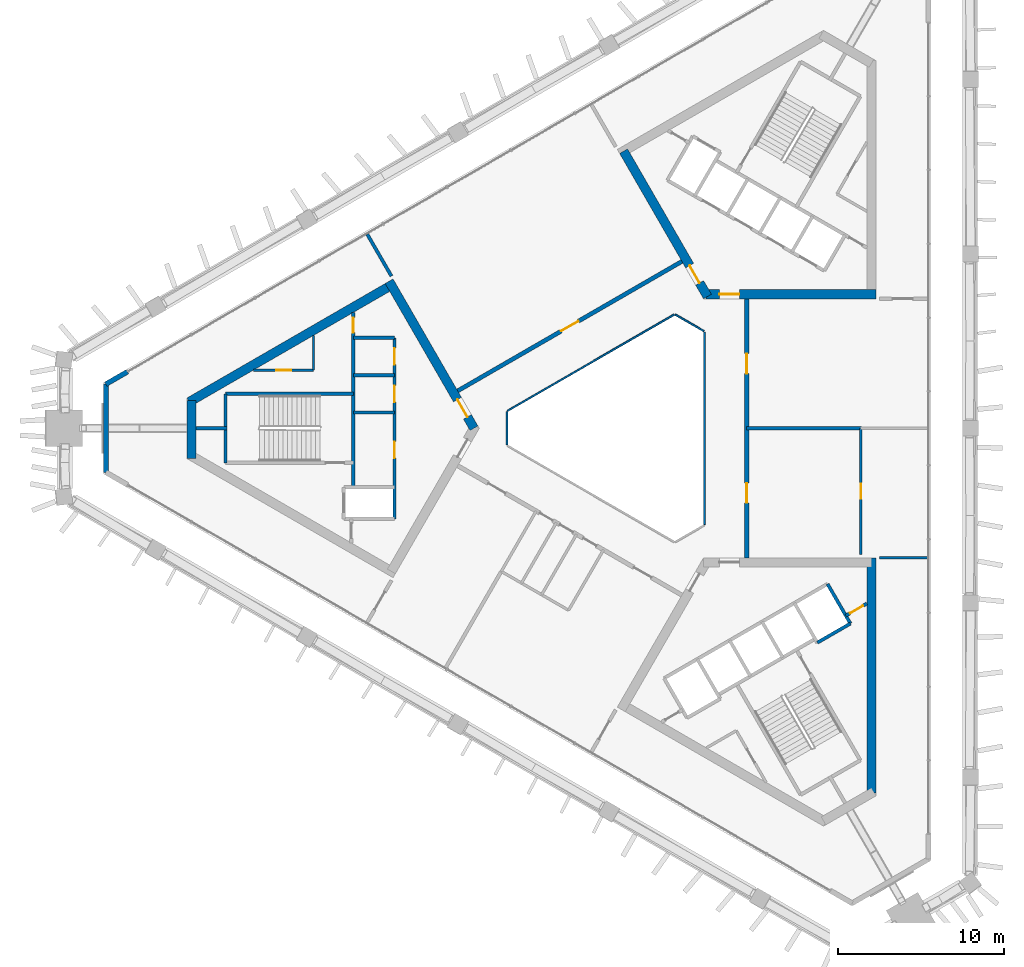
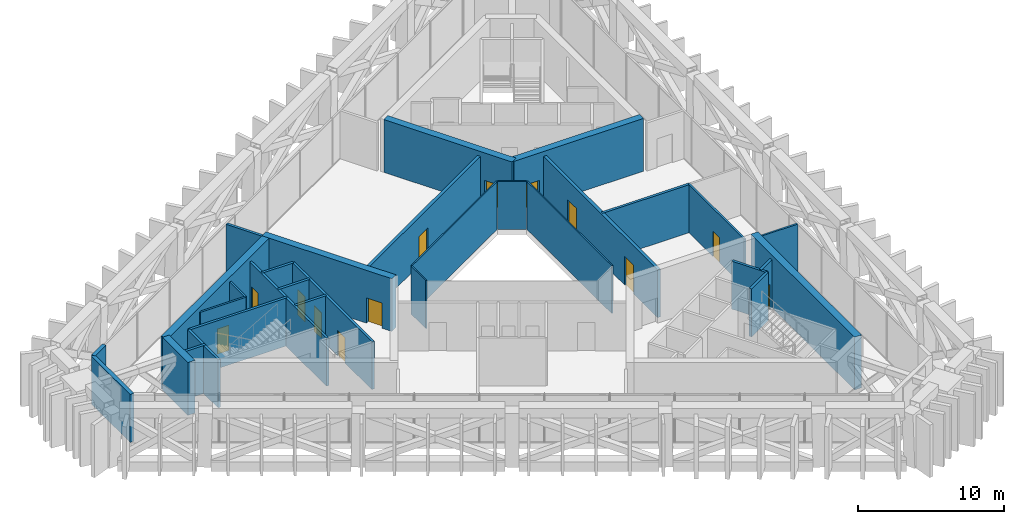
# One storey, part 11 of 15: 31 walls, 13 doors, 13 openings.
"""IFC4 building model written with IfcOpenShell, lengths in metres."""

from ifc_helpers import new_model, si_unit, direction, frame, frame_2d, origin, place, context, subcontext, project, spatial, rectangle, extrude, material, layer, layer_set, type_object, element, fill, save


model = new_model("IFC4")

# Units and contexts
model_context = context("Model", 3, precision=1e-05, world=origin(), true_north=direction((0.0, 1.0)))
body_context = subcontext(model_context, "Body", "Model", "MODEL_VIEW")
ifc_project = project(units=[si_unit("LENGTHUNIT", "METRE"), si_unit("AREAUNIT", "SQUARE_METRE"), si_unit("VOLUMEUNIT", "CUBIC_METRE"), si_unit("PLANEANGLEUNIT", "RADIAN"), si_unit("MASSUNIT", "GRAM", prefix="KILO")], contexts=[model_context])

# Site, building, storey
site_placement = place(None, origin())
site = spatial("IfcSite", under=ifc_project, at=site_placement, CompositionType="ELEMENT")
building_placement = place(site_placement, origin())
building = spatial("IfcBuilding", under=site, at=building_placement, Name="Jabali Bay Hotel Tower and Convention Centre", CompositionType="ELEMENT")
storey_placement = place(building_placement, frame((0.0, 0.0, 201.39990234375)))
storey = spatial("IfcBuildingStorey", under=building, at=storey_placement, Name="L49", CompositionType="ELEMENT", Elevation=201.39990234375)

# Walls
ifc_material_1 = material(Name="Fire-resistant glazing", Category="glass")
ifc_layer_1 = layer(ifc_material_1, 0.10009765625)
ifc_layer_set_1 = layer_set([ifc_layer_1], Name="Fire-resistant glazing")
wall_type_1 = type_object("IfcWallType", Name="Atrium glazed screen 100", PredefinedType="PARTITIONING", material=ifc_layer_set_1)
wall_1_placement = place(storey_placement, frame((79.56005859375, 74.205810546875, 0.0), z_axis=(0.0, 0.0, 1.0), x_axis=(0.0, 1.0, 0.0)))
element("IfcWall", 1, at=wall_1_placement, inside=storey, type_object=wall_type_1, Name="Atrium screen 1 L49", PredefinedType="PARTITIONING", context=body_context, shape_type="SweptSolid", body=[
    extrude(rectangle(XDim=11.58837890625, YDim=0.10009765625, at=frame_2d((5.794189453125, 0.0))), origin(), (0.0, 0.0, 1.0), 4.0),
])
wall_2_placement = place(storey_placement, frame((79.530029296875, 85.84619140625, 0.0), z_axis=(0.0, 0.0, 1.0), x_axis=(-0.866041268327, 0.499972520799, 0.0)))
element("IfcWall", 2, at=wall_2_placement, inside=storey, type_object=wall_type_1, Name="Atrium screen 2 L49", PredefinedType="PARTITIONING", context=body_context, shape_type="SweptSolid", body=[
    extrude(rectangle(XDim=2.0, YDim=0.10009765625, at=frame_2d((1.0, 0.0))), origin(), (0.0, 0.0, 1.0), 4.0),
])
wall_3_placement = place(storey_placement, frame((77.738037109375, 86.84619140625, 0.0), z_axis=(0.0, 0.0, 1.0), x_axis=(-0.866026658274, -0.499997827154, 0.0)))
element("IfcWall", 3, at=wall_3_placement, inside=storey, type_object=wall_type_1, Name="Atrium screen 3 L49", PredefinedType="PARTITIONING", context=body_context, shape_type="SweptSolid", body=[
    extrude(rectangle(XDim=11.58837890625, YDim=0.10009765625, at=frame_2d((5.794189453125, 0.0))), origin(), (0.0, 0.0, 1.0), 4.0),
])
wall_4_placement = place(storey_placement, frame((67.672119140625, 81.0, 0.0), z_axis=(0.0, 0.0, 1.0), x_axis=(0.0, -1.0, 0.0)))
element("IfcWall", 4, at=wall_4_placement, inside=storey, type_object=wall_type_1, Name="Atrium screen 4 L49", PredefinedType="PARTITIONING", context=body_context, shape_type="SweptSolid", body=[
    extrude(rectangle(XDim=2.0, YDim=0.10009765625, at=frame_2d((1.0, 0.0))), origin(), (0.0, 0.0, 1.0), 4.0),
])
ifc_material_2 = material(Name="Concrete C40", Category="concrete")
ifc_layer_2 = layer(ifc_material_2, 0.199951171875)
ifc_layer_set_2 = layer_set([ifc_layer_2], Name="Concrete C40")
wall_type_2 = type_object("IfcWallType", Name="Core partition wall 200", PredefinedType="PARTITIONING", material=ifc_layer_set_2)
wall_5_placement = place(storey_placement, frame((50.820068359375, 80.0, 0.0), z_axis=(0.0, 0.0, 1.0), x_axis=(-1.0, 0.0, 0.0)))
element("IfcWall", 5, at=wall_5_placement, inside=storey, type_object=wall_type_2, Name="Core wall 0.5 L49", PredefinedType="PARTITIONING", context=body_context, shape_type="SweptSolid", body=[
    extrude(rectangle(XDim=1.873046875, YDim=0.199951171875, at=frame_2d((0.9365234375, 0.0))), origin(), (0.0, 0.0, 1.0), 4.0),
])

# Wall, opening, door
wall_6_placement = place(storey_placement, frame((88.064697265625, 68.72119140625, 0.0), z_axis=(0.0, 0.0, 1.0), x_axis=(0.865982457891, 0.500074377092, 0.0)))
wall_6 = element("IfcWall", 6, at=wall_6_placement, inside=storey, type_object=wall_type_2, Name="Core wall 2.12 L49", PredefinedType="PARTITIONING", context=body_context, shape_type="SweptSolid", body=[
    extrude(rectangle(XDim=1.461181640625, YDim=0.199951171875, at=frame_2d((0.73046875, 0.0))), origin(), (0.0, 0.0, 1.0), 4.0),
])
opening_1_placement = place(wall_6_placement, frame((0.280517578125, 0.0, 0.0)))
opening_1 = element("IfcOpeningElement", 7, at=opening_1_placement, cuts=wall_6, Name="Opening D1069", PredefinedType="OPENING", context=body_context, shape_type="SweptSolid", body=[
    extrude(rectangle(XDim=0.89990234375, YDim=2.10009765625, at=frame_2d((0.449951171875, 1.050048828125))), frame((0.0, 0.1103515625, 0.0), z_axis=(0.0, -1.0, 0.0), x_axis=(1.0, 0.0, 0.0)), (0.0, 0.0, 1.0), 0.220947265625),
])
ifc_material_3 = material(Name="Fire-rated steel door", Category="steel")
door_type_1 = type_object("IfcDoorType", Name="Vestibule fire door 900 x 2100", OperationType="NOTDEFINED", PredefinedType="NOTDEFINED", material=ifc_material_3)
door_1_placement = place(opening_1_placement, origin())
door_1 = element("IfcDoor", 8, at=door_1_placement, inside=storey, type_object=door_type_1, Name="Vestibule fire door D1069", OperationType="SINGLE_SWING_LEFT", OverallHeight=2.10009765625, OverallWidth=0.89990234375, PredefinedType="NOTDEFINED", context=body_context, shape_type="SweptSolid", body=[
    extrude(rectangle(XDim=0.89990234375, YDim=2.10009765625, at=frame_2d((0.449951171875, 1.050048828125))), frame((0.0, 0.02490234375, 0.0), z_axis=(0.0, -1.0, 0.0), x_axis=(1.0, 0.0, 0.0)), (0.0, 0.0, 1.0), 0.050048828125),
])
fill(opening_1, door_1)

ifc_material_4 = material(Name="Fire-rated board partition")
ifc_layer_3 = layer(ifc_material_4, 0.14990234375)
ifc_layer_set_3 = layer_set([ifc_layer_3], Name="Fire-rated board partition")
wall_type_3 = type_object("IfcWallType", Name="Core room partition 150", PredefinedType="PARTITIONING", material=ifc_layer_set_3)
wall_7_placement = place(storey_placement, frame((56.02001953125, 83.5, 0.0), z_axis=(0.0, 0.0, 1.0), x_axis=(-1.0, 0.0, 0.0)))
wall_7 = element("IfcWall", 9, at=wall_7_placement, inside=storey, type_object=wall_type_3, Name="Core wall 0.1 L49", PredefinedType="PARTITIONING", context=body_context, shape_type="SweptSolid", body=[
    extrude(rectangle(XDim=3.617919921875, YDim=0.14990234375, at=frame_2d((1.80908203125, 0.0))), origin(), (0.0, 0.0, 1.0), 4.0),
])
opening_2_placement = place(wall_7_placement, frame((1.33154296875, 0.0, 0.0)))
opening_2 = element("IfcOpeningElement", 10, at=opening_2_placement, cuts=wall_7, Name="Opening D1060", PredefinedType="OPENING", context=body_context, shape_type="SweptSolid", body=[
    extrude(rectangle(XDim=0.89990234375, YDim=2.10009765625, at=frame_2d((0.449951171875, 1.050048828125))), frame((0.0, 0.08544921875, 0.0), z_axis=(0.0, -1.0, 0.0), x_axis=(1.0, 0.0, 0.0)), (0.0, 0.0, 1.0), 0.1708984375),
])
door_type_2 = type_object("IfcDoorType", Name="Core room door 900 x 2100", OperationType="NOTDEFINED", PredefinedType="NOTDEFINED", material=ifc_material_3)
door_2_placement = place(opening_2_placement, origin())
door_2 = element("IfcDoor", 11, at=door_2_placement, inside=storey, type_object=door_type_2, Name="Core room door D1060", OperationType="SINGLE_SWING_LEFT", OverallHeight=2.10009765625, OverallWidth=0.89990234375, PredefinedType="NOTDEFINED", context=body_context, shape_type="SweptSolid", body=[
    extrude(rectangle(XDim=0.89990234375, YDim=2.10009765625, at=frame_2d((0.449951171875, 1.050048828125))), frame((0.0, 0.02490234375, 0.0), z_axis=(0.0, -1.0, 0.0), x_axis=(1.0, 0.0, 0.0)), (0.0, 0.0, 1.0), 0.050048828125),
])
fill(opening_2, door_2)

# Walls
wall_8_placement = place(storey_placement, frame((56.02001953125, 85.5888671875, 0.0), z_axis=(0.0, 0.0, 1.0), x_axis=(0.0, -1.0, 0.0)))
element("IfcWall", 12, at=wall_8_placement, inside=storey, type_object=wall_type_3, Name="Core wall 0.13 L49", PredefinedType="PARTITIONING", context=body_context, shape_type="SweptSolid", body=[
    extrude(rectangle(XDim=2.0888671875, YDim=0.14990234375, at=frame_2d((1.04443359375, 0.0))), origin(), (0.0, 0.0, 1.0), 4.0),
])
ifc_layer_4 = layer(ifc_material_2, 0.199951171875)
ifc_layer_set_4 = layer_set([ifc_layer_4], Name="Concrete C40")
wall_type_4 = type_object("IfcWallType", Name="Core stair wall 200", PredefinedType="SOLIDWALL", material=ifc_layer_set_4)
for number, where, z_axis, x_axis, name in (
    (13, (60.89990234375, 85.449951171875, 0.0), (0.0, 0.0, 1.0), (-1.0, 0.0, 0.0), "Core wall 0.0 L49"),
    (14, (60.89990234375, 83.199951171875, 0.0), (0.0, 0.0, 1.0), (-1.0, 0.0, 0.0), "Core wall 0.2 L49"),
):
    element("IfcWall", number, at=place(storey_placement, frame(where, z_axis=z_axis, x_axis=x_axis)), inside=storey, type_object=wall_type_4, Name=name, PredefinedType="SOLIDWALL", context=body_context, shape_type="SweptSolid", body=[
        extrude(rectangle(XDim=2.47998046875, YDim=0.199951171875, at=frame_2d((1.239990234375, 0.0))), origin(), (0.0, 0.0, 1.0), 4.0),
    ])
wall_9_placement = place(storey_placement, frame((58.419921875, 82.074951171875, 0.0), z_axis=(0.0, 0.0, 1.0), x_axis=(-1.0, 0.0, 0.0)))
element("IfcWall", 15, at=wall_9_placement, inside=storey, type_object=wall_type_4, Name="Core wall 0.3 L49", PredefinedType="SOLIDWALL", context=body_context, shape_type="SweptSolid", body=[
    extrude(rectangle(XDim=7.699951171875, YDim=0.199951171875, at=frame_2d((3.85009765625, 0.0))), origin(), (0.0, 0.0, 1.0), 4.0),
])
wall_10_placement = place(storey_placement, frame((60.89990234375, 80.949951171875, 0.0), z_axis=(0.0, 0.0, 1.0), x_axis=(-1.0, 0.0, 0.0)))
element("IfcWall", 16, at=wall_10_placement, inside=storey, type_object=wall_type_4, Name="Core wall 0.4 L49", PredefinedType="SOLIDWALL", context=body_context, shape_type="SweptSolid", body=[
    extrude(rectangle(XDim=2.47998046875, YDim=0.199951171875, at=frame_2d((1.239990234375, 0.0))), origin(), (0.0, 0.0, 1.0), 4.0),
])

# Wall, openings, doors
wall_11_placement = place(storey_placement, frame((60.89990234375, 85.449951171875, 0.0), z_axis=(0.0, 0.0, 1.0), x_axis=(0.0, -1.0, 0.0)))
wall_11 = element("IfcWall", 17, at=wall_11_placement, inside=storey, type_object=wall_type_4, Name="Core wall 0.9 L49", PredefinedType="SOLIDWALL", context=body_context, shape_type="SweptSolid", body=[
    extrude(rectangle(XDim=10.89990234375, YDim=0.199951171875, at=frame_2d((5.449951171875, 0.0))), origin(), (0.0, 0.0, 1.0), 4.0),
])
opening_3_placement = place(wall_11_placement, frame((0.625, 0.0, 0.0)))
opening_3 = element("IfcOpeningElement", 18, at=opening_3_placement, cuts=wall_11, Name="Opening D1054", PredefinedType="OPENING", context=body_context, shape_type="SweptSolid", body=[
    extrude(rectangle(XDim=1.0, YDim=2.10009765625, at=frame_2d((0.5, 1.050048828125))), frame((0.0, 0.1103515625, 0.0), z_axis=(0.0, -1.0, 0.0), x_axis=(1.0, 0.0, 0.0)), (0.0, 0.0, 1.0), 0.220947265625),
])
opening_4_placement = place(wall_11_placement, frame((2.875, 0.0, 0.0)))
opening_4 = element("IfcOpeningElement", 19, at=opening_4_placement, cuts=wall_11, Name="Opening D1055", PredefinedType="OPENING", context=body_context, shape_type="SweptSolid", body=[
    extrude(rectangle(XDim=1.0, YDim=2.10009765625, at=frame_2d((0.5, 1.050048828125))), frame((0.0, 0.1103515625, 0.0), z_axis=(0.0, -1.0, 0.0), x_axis=(1.0, 0.0, 0.0)), (0.0, 0.0, 1.0), 0.220947265625),
])
opening_5_placement = place(wall_11_placement, frame((6.25, 0.0, 0.0)))
opening_5 = element("IfcOpeningElement", 20, at=opening_5_placement, cuts=wall_11, Name="Opening D1056", PredefinedType="OPENING", context=body_context, shape_type="SweptSolid", body=[
    extrude(rectangle(XDim=1.0, YDim=2.10009765625, at=frame_2d((0.5, 1.050048828125))), frame((0.0, 0.1103515625, 0.0), z_axis=(0.0, -1.0, 0.0), x_axis=(1.0, 0.0, 0.0)), (0.0, 0.0, 1.0), 0.220947265625),
])
door_type_3 = type_object("IfcDoorType", Name="Core room door 1000 x 2100", OperationType="NOTDEFINED", PredefinedType="NOTDEFINED", material=ifc_material_3)
door_3_placement = place(opening_3_placement, origin())
door_3 = element("IfcDoor", 21, at=door_3_placement, inside=storey, type_object=door_type_3, Name="Core room door D1054", OperationType="SINGLE_SWING_RIGHT", OverallHeight=2.10009765625, OverallWidth=1.0, PredefinedType="NOTDEFINED", context=body_context, shape_type="SweptSolid", body=[
    extrude(rectangle(XDim=1.0, YDim=2.10009765625, at=frame_2d((0.5, 1.050048828125))), frame((0.0, 0.02490234375, 0.0), z_axis=(0.0, -1.0, 0.0), x_axis=(1.0, 0.0, 0.0)), (0.0, 0.0, 1.0), 0.050048828125),
])
fill(opening_3, door_3)
door_4_placement = place(opening_4_placement, origin())
door_4 = element("IfcDoor", 22, at=door_4_placement, inside=storey, type_object=door_type_3, Name="Core room door D1055", OperationType="SINGLE_SWING_RIGHT", OverallHeight=2.10009765625, OverallWidth=1.0, PredefinedType="NOTDEFINED", context=body_context, shape_type="SweptSolid", body=[
    extrude(rectangle(XDim=1.0, YDim=2.10009765625, at=frame_2d((0.5, 1.050048828125))), frame((0.0, 0.02490234375, 0.0), z_axis=(0.0, -1.0, 0.0), x_axis=(1.0, 0.0, 0.0)), (0.0, 0.0, 1.0), 0.050048828125),
])
fill(opening_4, door_4)
door_5_placement = place(opening_5_placement, origin())
door_5 = element("IfcDoor", 23, at=door_5_placement, inside=storey, type_object=door_type_3, Name="Core room door D1056", OperationType="SINGLE_SWING_RIGHT", OverallHeight=2.10009765625, OverallWidth=1.0, PredefinedType="NOTDEFINED", context=body_context, shape_type="SweptSolid", body=[
    extrude(rectangle(XDim=1.0, YDim=2.10009765625, at=frame_2d((0.5, 1.050048828125))), frame((0.0, 0.02490234375, 0.0), z_axis=(0.0, -1.0, 0.0), x_axis=(1.0, 0.0, 0.0)), (0.0, 0.0, 1.0), 0.050048828125),
])
fill(opening_5, door_5)

# Wall, opening, door
wall_12_placement = place(storey_placement, frame((58.419921875, 86.974365234375, 0.0), z_axis=(0.0, 0.0, 1.0), x_axis=(0.0, -1.0, 0.0)))
wall_12 = element("IfcWall", 24, at=wall_12_placement, inside=storey, type_object=wall_type_4, Name="Core wall 0.10 L49", PredefinedType="SOLIDWALL", context=body_context, shape_type="SweptSolid", body=[
    extrude(rectangle(XDim=10.5244140625, YDim=0.199951171875, at=frame_2d((5.26220703125, 0.0))), origin(), (0.0, 0.0, 1.0), 4.0),
])
opening_6_placement = place(wall_12_placement, frame((0.312255859375, 0.0, 0.0)))
opening_6 = element("IfcOpeningElement", 25, at=opening_6_placement, cuts=wall_12, Name="Opening D1058", PredefinedType="OPENING", context=body_context, shape_type="SweptSolid", body=[
    extrude(rectangle(XDim=0.89990234375, YDim=2.10009765625, at=frame_2d((0.449951171875, 1.050048828125))), frame((0.0, 0.1103515625, 0.0), z_axis=(0.0, -1.0, 0.0), x_axis=(1.0, 0.0, 0.0)), (0.0, 0.0, 1.0), 0.220947265625),
])
door_6_placement = place(opening_6_placement, origin())
door_6 = element("IfcDoor", 26, at=door_6_placement, inside=storey, type_object=door_type_1, Name="Vestibule fire door D1058", OperationType="SINGLE_SWING_LEFT", OverallHeight=2.10009765625, OverallWidth=0.89990234375, PredefinedType="NOTDEFINED", context=body_context, shape_type="SweptSolid", body=[
    extrude(rectangle(XDim=0.89990234375, YDim=2.10009765625, at=frame_2d((0.449951171875, 1.050048828125))), frame((0.0, 0.02490234375, 0.0), z_axis=(0.0, -1.0, 0.0), x_axis=(1.0, 0.0, 0.0)), (0.0, 0.0, 1.0), 0.050048828125),
])
fill(opening_6, door_6)

# Walls
wall_13_placement = place(storey_placement, frame((50.719970703125, 82.074951171875, 0.0), z_axis=(0.0, 0.0, 1.0), x_axis=(0.0, -1.0, 0.0)))
element("IfcWall", 27, at=wall_13_placement, inside=storey, type_object=wall_type_4, Name="Core wall 0.14 L49", PredefinedType="SOLIDWALL", context=body_context, shape_type="SweptSolid", body=[
    extrude(rectangle(XDim=4.14990234375, YDim=0.199951171875, at=frame_2d((2.074951171875, 0.0))), origin(), (0.0, 0.0, 1.0), 4.0),
])
wall_14_placement = place(storey_placement, frame((86.964599609375, 70.62646484375, 0.0), z_axis=(0.0, 0.0, 1.0), x_axis=(0.499996545922, -0.866027397988, 0.0)))
element("IfcWall", 28, at=wall_14_placement, inside=storey, type_object=wall_type_4, Name="Core wall 2.9 L49", PredefinedType="SOLIDWALL", context=body_context, shape_type="SweptSolid", body=[
    extrude(rectangle(XDim=2.75, YDim=0.199951171875, at=frame_2d((1.375, 0.0))), origin(), (0.0, 0.0, 1.0), 4.0),
])
wall_15_placement = place(storey_placement, frame((86.347900390625, 67.094970703125, 0.0), z_axis=(0.0, 0.0, 1.0), x_axis=(0.86602648383, 0.499998129301, 0.0)))
element("IfcWall", 29, at=wall_15_placement, inside=storey, type_object=wall_type_4, Name="Core wall 2.15 L49", PredefinedType="SOLIDWALL", context=body_context, shape_type="SweptSolid", body=[
    extrude(rectangle(XDim=2.2998046875, YDim=0.199951171875, at=frame_2d((1.14990234375, 0.0))), origin(), (0.0, 0.0, 1.0), 4.0),
])

# Wall, opening, door
ifc_material_5 = material(Name="Concrete C60", Category="concrete")
ifc_layer_5 = layer(ifc_material_5, 0.550048828125)
ifc_layer_set_5 = layer_set([ifc_layer_5], Name="Concrete C60")
wall_type_5 = type_object("IfcWallType", Name="Core wall 550", PredefinedType="SHEAR", material=ifc_layer_set_5)
wall_16_placement = place(storey_placement, frame((65.682373046875, 80.0, 0.0), z_axis=(0.0, 0.0, 1.0), x_axis=(-0.500000202252, 0.866025287014, 0.0)))
wall_16 = element("IfcWall", 30, at=wall_16_placement, inside=storey, type_object=wall_type_5, Name="Core wall 1.1 L49", PredefinedType="SHEAR", context=body_context, shape_type="SweptSolid", body=[
    extrude(rectangle(XDim=10.22119140625, YDim=0.550048828125, at=frame_2d((5.110595703125, 0.0))), origin(), (0.0, 0.0, 1.0), 4.400146484375),
])
opening_7_placement = place(wall_16_placement, frame((0.791259765625, 0.0, 0.0)))
opening_7 = element("IfcOpeningElement", 31, at=opening_7_placement, cuts=wall_16, Name="Opening D1052", PredefinedType="OPENING", context=body_context, shape_type="SweptSolid", body=[
    extrude(rectangle(XDim=1.199951171875, YDim=2.10009765625, at=frame_2d((0.60009765625, 1.050048828125))), frame((0.0, 0.28564453125, 0.0), z_axis=(0.0, -1.0, 0.0), x_axis=(1.0, 0.0, 0.0)), (0.0, 0.0, 1.0), 0.571044921875),
])
door_type_4 = type_object("IfcDoorType", Name="Corridor end fire door 1200 x 2100", OperationType="NOTDEFINED", PredefinedType="NOTDEFINED", material=ifc_material_3)
door_7_placement = place(opening_7_placement, origin())
door_7 = element("IfcDoor", 32, at=door_7_placement, inside=storey, type_object=door_type_4, Name="Corridor end fire door D1052", OperationType="SINGLE_SWING_RIGHT", OverallHeight=2.10009765625, OverallWidth=1.199951171875, PredefinedType="NOTDEFINED", context=body_context, shape_type="SweptSolid", body=[
    extrude(rectangle(XDim=1.199951171875, YDim=2.10009765625, at=frame_2d((0.60009765625, 1.050048828125))), frame((0.0, 0.02490234375, 0.0), z_axis=(0.0, -1.0, 0.0), x_axis=(1.0, 0.0, 0.0)), (0.0, 0.0, 1.0), 0.050048828125),
])
fill(opening_7, door_7)

# Walls
wall_17_placement = place(storey_placement, frame((60.709228515625, 88.61376953125, 0.0), z_axis=(0.0, 0.0, 1.0), x_axis=(-0.866020164116, -0.500009075263, 0.0)))
element("IfcWall", 33, at=wall_17_placement, inside=storey, type_object=wall_type_5, Name="Core wall 1.2 L49", PredefinedType="SHEAR", context=body_context, shape_type="SweptSolid", body=[
    extrude(rectangle(XDim=14.058349609375, YDim=0.550048828125, at=frame_2d((7.029296875, 0.0))), origin(), (0.0, 0.0, 1.0), 4.400146484375),
])
wall_18_placement = place(storey_placement, frame((48.671875, 81.663818359375, 0.0), z_axis=(0.0, 0.0, 1.0), x_axis=(0.0, -1.0, 0.0)))
element("IfcWall", 34, at=wall_18_placement, inside=storey, type_object=wall_type_5, Name="Core wall 1.3 L49", PredefinedType="SHEAR", context=body_context, shape_type="SweptSolid", body=[
    extrude(rectangle(XDim=3.486572265625, YDim=0.550048828125, at=frame_2d((1.7431640625, 0.0))), origin(), (0.0, 0.0, 1.0), 4.400146484375),
])

# Wall, opening, door
wall_19_placement = place(storey_placement, frame((79.65869140625, 88.0693359375, 0.0), z_axis=(0.0, 0.0, 1.0), x_axis=(1.0, 0.0, 0.0)))
wall_19 = element("IfcWall", 35, at=wall_19_placement, inside=storey, type_object=wall_type_5, Name="Core wall 2.1 L49", PredefinedType="SHEAR", context=body_context, shape_type="SweptSolid", body=[
    extrude(rectangle(XDim=10.22119140625, YDim=0.550048828125, at=frame_2d((5.110595703125, 0.0))), origin(), (0.0, 0.0, 1.0), 4.400146484375),
])
opening_8_placement = place(wall_19_placement, frame((0.791259765625, 0.0, 0.0)))
opening_8 = element("IfcOpeningElement", 36, at=opening_8_placement, cuts=wall_19, Name="Opening D1061", PredefinedType="OPENING", context=body_context, shape_type="SweptSolid", body=[
    extrude(rectangle(XDim=1.199951171875, YDim=2.10009765625, at=frame_2d((0.60009765625, 1.050048828125))), frame((0.0, 0.28564453125, 0.0), z_axis=(0.0, -1.0, 0.0), x_axis=(1.0, 0.0, 0.0)), (0.0, 0.0, 1.0), 0.571044921875),
])
door_8_placement = place(opening_8_placement, origin())
door_8 = element("IfcDoor", 37, at=door_8_placement, inside=storey, type_object=door_type_4, Name="Corridor end fire door D1061", OperationType="SINGLE_SWING_RIGHT", OverallHeight=2.10009765625, OverallWidth=1.199951171875, PredefinedType="NOTDEFINED", context=body_context, shape_type="SweptSolid", body=[
    extrude(rectangle(XDim=1.199951171875, YDim=2.10009765625, at=frame_2d((0.60009765625, 1.050048828125))), frame((0.0, 0.02490234375, 0.0), z_axis=(0.0, -1.0, 0.0), x_axis=(1.0, 0.0, 0.0)), (0.0, 0.0, 1.0), 0.050048828125),
])
fill(opening_8, door_8)

wall_20_placement = place(storey_placement, frame((74.685546875, 96.682861328125, 0.0), z_axis=(0.0, 0.0, 1.0), x_axis=(0.499997818338, -0.866026663364, 0.0)))
wall_20 = element("IfcWall", 38, at=wall_20_placement, inside=storey, type_object=wall_type_5, Name="Core wall 2.5 L49", PredefinedType="SHEAR", context=body_context, shape_type="SweptSolid", body=[
    extrude(rectangle(XDim=10.10498046875, YDim=0.550048828125, at=frame_2d((5.052490234375, 0.0))), origin(), (0.0, 0.0, 1.0), 4.400146484375),
])
opening_9_placement = place(wall_20_placement, frame((7.955078125, 0.0, 0.0)))
opening_9 = element("IfcOpeningElement", 39, at=opening_9_placement, cuts=wall_20, Name="Opening D1062", PredefinedType="OPENING", context=body_context, shape_type="SweptSolid", body=[
    extrude(rectangle(XDim=1.199951171875, YDim=2.10009765625, at=frame_2d((0.60009765625, 1.050048828125))), frame((0.0, 0.28564453125, 0.0), z_axis=(0.0, -1.0, 0.0), x_axis=(1.0, 0.0, 0.0)), (0.0, 0.0, 1.0), 0.571044921875),
])
door_9_placement = place(opening_9_placement, origin())
door_9 = element("IfcDoor", 40, at=door_9_placement, inside=storey, type_object=door_type_4, Name="Corridor end fire door D1062", OperationType="SINGLE_SWING_LEFT", OverallHeight=2.10009765625, OverallWidth=1.199951171875, PredefinedType="NOTDEFINED", context=body_context, shape_type="SweptSolid", body=[
    extrude(rectangle(XDim=1.199951171875, YDim=2.10009765625, at=frame_2d((0.60009765625, 1.050048828125))), frame((0.0, 0.02490234375, 0.0), z_axis=(0.0, -1.0, 0.0), x_axis=(1.0, 0.0, 0.0)), (0.0, 0.0, 1.0), 0.050048828125),
])
fill(opening_9, door_9)

# Wall
wall_21_placement = place(storey_placement, frame((89.60498046875, 58.03125, 0.0), z_axis=(0.0, 0.0, 1.0), x_axis=(0.0, 1.0, 0.0)))
element("IfcWall", 41, at=wall_21_placement, inside=storey, type_object=wall_type_5, Name="Core wall 3.4 L49", PredefinedType="SHEAR", context=body_context, shape_type="SweptSolid", body=[
    extrude(rectangle(XDim=14.174560546875, YDim=0.550048828125, at=frame_2d((7.08740234375, 0.0))), origin(), (0.0, 0.0, 1.0), 4.400146484375),
])

# Wall, openings, doors
ifc_layer_6 = layer(ifc_material_5, 0.25)
ifc_layer_set_6 = layer_set([ifc_layer_6], Name="Concrete C60")
wall_type_6 = type_object("IfcWallType", Name="Corridor wall 250", PredefinedType="SHEAR", material=ifc_layer_set_6)
wall_22_placement = place(storey_placement, frame((82.10009765625, 72.205810546875, 0.0), z_axis=(0.0, 0.0, 1.0), x_axis=(0.0, 1.0, 0.0)))
wall_22 = element("IfcWall", 42, at=wall_22_placement, inside=storey, type_object=wall_type_6, Name="Corridor wall 1 L49", PredefinedType="SHEAR", context=body_context, shape_type="SweptSolid", body=[
    extrude(rectangle(XDim=15.58837890625, YDim=0.25, at=frame_2d((7.794189453125, 0.0))), origin(), (0.0, 0.0, 1.0), 4.0),
])
opening_10_placement = place(wall_22_placement, frame((3.297119140625, 0.0, 0.0)))
opening_10 = element("IfcOpeningElement", 43, at=opening_10_placement, cuts=wall_22, Name="Opening 4901", PredefinedType="OPENING", context=body_context, shape_type="SweptSolid", body=[
    extrude(rectangle(XDim=1.199951171875, YDim=2.39990234375, at=frame_2d((0.60009765625, 1.199951171875))), frame((0.0, 0.135498046875, 0.0), z_axis=(0.0, -1.0, 0.0), x_axis=(1.0, 0.0, 0.0)), (0.0, 0.0, 1.0), 0.27099609375),
])
opening_11_placement = place(wall_22_placement, frame((11.09130859375, 0.0, 0.0)))
opening_11 = element("IfcOpeningElement", 44, at=opening_11_placement, cuts=wall_22, Name="Opening 4903", PredefinedType="OPENING", context=body_context, shape_type="SweptSolid", body=[
    extrude(rectangle(XDim=1.199951171875, YDim=2.39990234375, at=frame_2d((0.60009765625, 1.199951171875))), frame((0.0, 0.135498046875, 0.0), z_axis=(0.0, -1.0, 0.0), x_axis=(1.0, 0.0, 0.0)), (0.0, 0.0, 1.0), 0.27099609375),
])
ifc_material_6 = material(Name="Timber", Category="wood")
door_type_5 = type_object("IfcDoorType", Name="Public room door 1200 x 2400", OperationType="NOTDEFINED", PredefinedType="NOTDEFINED", material=ifc_material_6)
door_10_placement = place(opening_10_placement, origin())
door_10 = element("IfcDoor", 45, at=door_10_placement, inside=storey, type_object=door_type_5, Name="Door 4901", OperationType="SINGLE_SWING_LEFT", OverallHeight=2.39990234375, OverallWidth=1.199951171875, PredefinedType="NOTDEFINED", context=body_context, shape_type="SweptSolid", body=[
    extrude(rectangle(XDim=1.199951171875, YDim=2.39990234375, at=frame_2d((0.60009765625, 1.199951171875))), frame((0.0, 0.02490234375, 0.0), z_axis=(0.0, -1.0, 0.0), x_axis=(1.0, 0.0, 0.0)), (0.0, 0.0, 1.0), 0.050048828125),
])
fill(opening_10, door_10)
door_11_placement = place(opening_11_placement, origin())
door_11 = element("IfcDoor", 46, at=door_11_placement, inside=storey, type_object=door_type_5, Name="Door 4903", OperationType="SINGLE_SWING_RIGHT", OverallHeight=2.39990234375, OverallWidth=1.199951171875, PredefinedType="NOTDEFINED", context=body_context, shape_type="SweptSolid", body=[
    extrude(rectangle(XDim=1.199951171875, YDim=2.39990234375, at=frame_2d((0.60009765625, 1.199951171875))), frame((0.0, 0.02490234375, 0.0), z_axis=(0.0, -1.0, 0.0), x_axis=(1.0, 0.0, 0.0)), (0.0, 0.0, 1.0), 0.050048828125),
])
fill(opening_11, door_11)

# Wall, opening, door
wall_23_placement = place(storey_placement, frame((78.199951171875, 90.0458984375, 0.0), z_axis=(0.0, 0.0, 1.0), x_axis=(-0.866026492143, -0.499998114903, 0.0)))
wall_23 = element("IfcWall", 47, at=wall_23_placement, inside=storey, type_object=wall_type_6, Name="Corridor wall 2 L49", PredefinedType="SHEAR", context=body_context, shape_type="SweptSolid", body=[
    extrude(rectangle(XDim=15.58837890625, YDim=0.25, at=frame_2d((7.794189453125, 0.0))), origin(), (0.0, 0.0, 1.0), 4.0),
])
opening_12_placement = place(wall_23_placement, frame((7.194091796875, 0.0, 0.0)))
opening_12 = element("IfcOpeningElement", 48, at=opening_12_placement, cuts=wall_23, Name="Opening 4904", PredefinedType="OPENING", context=body_context, shape_type="SweptSolid", body=[
    extrude(rectangle(XDim=1.199951171875, YDim=2.39990234375, at=frame_2d((0.60009765625, 1.199951171875))), frame((0.0, 0.135498046875, 0.0), z_axis=(0.0, -1.0, 0.0), x_axis=(1.0, 0.0, 0.0)), (0.0, 0.0, 1.0), 0.27099609375),
])
door_12_placement = place(opening_12_placement, origin())
door_12 = element("IfcDoor", 49, at=door_12_placement, inside=storey, type_object=door_type_5, Name="Door 4904", OperationType="SINGLE_SWING_RIGHT", OverallHeight=2.39990234375, OverallWidth=1.199951171875, PredefinedType="NOTDEFINED", context=body_context, shape_type="SweptSolid", body=[
    extrude(rectangle(XDim=1.199951171875, YDim=2.39990234375, at=frame_2d((0.60009765625, 1.199951171875))), frame((0.0, 0.02490234375, 0.0), z_axis=(0.0, -1.0, 0.0), x_axis=(1.0, 0.0, 0.0)), (0.0, 0.0, 1.0), 0.050048828125),
])
fill(opening_12, door_12)

# Walls
ifc_layer_7 = layer(ifc_material_2, 0.300048828125)
ifc_layer_set_7 = layer_set([ifc_layer_7], Name="Concrete C40")
wall_type_7 = type_object("IfcWallType", Name="External wall 300", PredefinedType="SOLIDWALL", material=ifc_layer_set_7)
wall_24_placement = place(storey_placement, frame((43.51708984375, 77.346435546875, 0.0), z_axis=(0.0, 0.0, 1.0), x_axis=(0.0, 1.0, 0.0)))
element("IfcWall", 50, at=wall_24_placement, inside=storey, type_object=wall_type_7, Name="External wall west chamfer L49", PredefinedType="SOLIDWALL", context=body_context, shape_type="SweptSolid", body=[
    extrude(rectangle(XDim=5.30712890625, YDim=0.300048828125, at=frame_2d((2.653564453125, 0.0))), origin(), (0.0, 0.0, 1.0), 4.0),
])
wall_25_placement = place(storey_placement, frame((43.51708984375, 82.653564453125, 0.0), z_axis=(0.0, 0.0, 1.0), x_axis=(0.86599040064, 0.500060622324, 0.0)))
element("IfcWall", 51, at=wall_25_placement, inside=storey, type_object=wall_type_7, Name="External wall north-west face L49", PredefinedType="SOLIDWALL", context=body_context, shape_type="SweptSolid", body=[
    extrude(rectangle(XDim=1.499755859375, YDim=0.300048828125, at=frame_2d((0.75, 0.0))), origin(), (0.0, 0.0, 1.0), 4.0),
])

# Wall, opening, door
ifc_material_7 = material(Name="Plasterboard on steel stud", Category="steel")
ifc_layer_8 = layer(ifc_material_7, 0.14990234375)
ifc_layer_set_8 = layer_set([ifc_layer_8], Name="Plasterboard on steel stud")
wall_type_8 = type_object("IfcWallType", Name="Partition 150 wet", PredefinedType="PARTITIONING", material=ifc_layer_set_8)
wall_26_placement = place(storey_placement, frame((88.9755859375, 72.40478515625, 0.0), z_axis=(0.0, 0.0, 1.0), x_axis=(0.0, 1.0, 0.0)))
wall_26 = element("IfcWall", 52, at=wall_26_placement, inside=storey, type_object=wall_type_8, Name="Partition P03 L49 001", PredefinedType="PARTITIONING", context=body_context, shape_type="SweptSolid", body=[
    extrude(rectangle(XDim=7.59521484375, YDim=0.14990234375, at=frame_2d((3.797607421875, 0.0))), origin(), (0.0, 0.0, 1.0), 4.0),
])
opening_13_placement = place(wall_26_placement, frame((3.347900390625, 0.0, 0.0)))
opening_13 = element("IfcOpeningElement", 53, at=opening_13_placement, cuts=wall_26, Name="Opening 4902", PredefinedType="OPENING", context=body_context, shape_type="SweptSolid", body=[
    extrude(rectangle(XDim=0.89990234375, YDim=2.10009765625, at=frame_2d((0.449951171875, 1.050048828125))), frame((0.0, 0.08544921875, 0.0), z_axis=(0.0, -1.0, 0.0), x_axis=(1.0, 0.0, 0.0)), (0.0, 0.0, 1.0), 0.1708984375),
])
door_type_6 = type_object("IfcDoorType", Name="Internal door 900 x 2100", OperationType="NOTDEFINED", PredefinedType="NOTDEFINED", material=ifc_material_6)
door_13_placement = place(opening_13_placement, origin())
door_13 = element("IfcDoor", 54, at=door_13_placement, inside=storey, type_object=door_type_6, Name="Door 4902", OperationType="SINGLE_SWING_RIGHT", OverallHeight=2.10009765625, OverallWidth=0.89990234375, PredefinedType="NOTDEFINED", context=body_context, shape_type="SweptSolid", body=[
    extrude(rectangle(XDim=0.89990234375, YDim=2.10009765625, at=frame_2d((0.449951171875, 1.050048828125))), frame((0.0, 0.02490234375, 0.0), z_axis=(0.0, -1.0, 0.0), x_axis=(1.0, 0.0, 0.0)), (0.0, 0.0, 1.0), 0.050048828125),
])
fill(opening_13, door_13)

# Walls
wall_27_placement = place(storey_placement, frame((92.985595703125, 72.205810546875, 0.0), z_axis=(0.0, 0.0, 1.0), x_axis=(-1.0, 0.0, 0.0)))
element("IfcWall", 55, at=wall_27_placement, inside=storey, type_object=wall_type_8, Name="Partition P03 L49 004", PredefinedType="PARTITIONING", context=body_context, shape_type="SweptSolid", body=[
    extrude(rectangle(XDim=2.906494140625, YDim=0.14990234375, at=frame_2d((1.453125, 0.0))), origin(), (0.0, 0.0, 1.0), 4.0),
])
ifc_layer_9 = layer(ifc_material_7, 0.199951171875)
ifc_layer_set_9 = layer_set([ifc_layer_9], Name="Plasterboard on steel stud")
wall_type_9 = type_object("IfcWallType", Name="Partition 200 party", PredefinedType="PARTITIONING", material=ifc_layer_set_9)
wall_28_placement = place(storey_placement, frame((88.99560546875, 80.0, 0.0), z_axis=(0.0, 0.0, 1.0), x_axis=(-1.0, 0.0, 0.0)))
element("IfcWall", 56, at=wall_28_placement, inside=storey, type_object=wall_type_9, Name="Partition P01 L49 002", PredefinedType="PARTITIONING", context=body_context, shape_type="SweptSolid", body=[
    extrude(rectangle(XDim=6.8955078125, YDim=0.199951171875, at=frame_2d((3.44775390625, 0.0))), origin(), (0.0, 0.0, 1.0), 4.0),
])
wall_29_placement = place(storey_placement, frame((60.71044921875, 89.16162109375, 0.0), z_axis=(0.0, 0.0, 1.0), x_axis=(-0.499996306993, 0.866027535932, 0.0)))
element("IfcWall", 57, at=wall_29_placement, inside=storey, type_object=wall_type_9, Name="Partition P01 L49 006", PredefinedType="PARTITIONING", context=body_context, shape_type="SweptSolid", body=[
    extrude(rectangle(XDim=2.90673828125, YDim=0.199951171875, at=frame_2d((1.453369140625, 0.0))), origin(), (0.0, 0.0, 1.0), 4.0),
])

save(model, "model.ifc")
